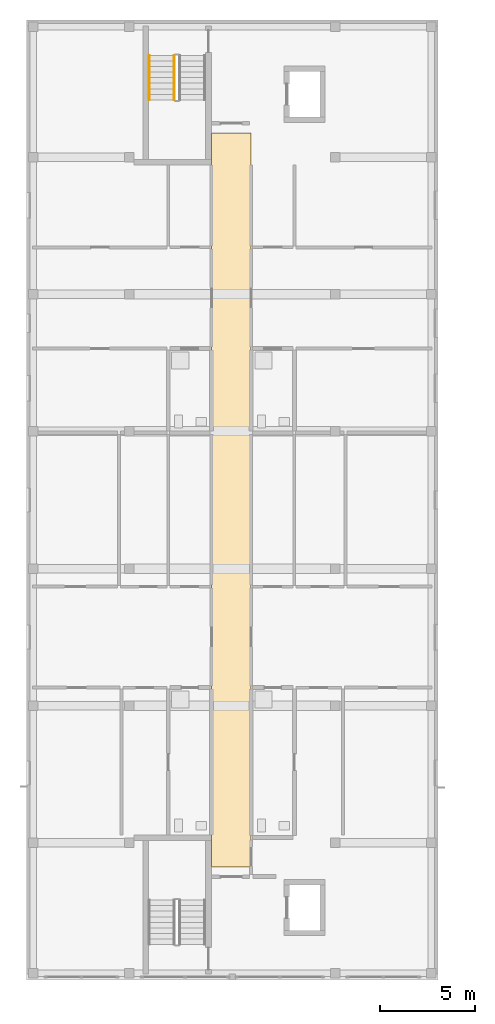
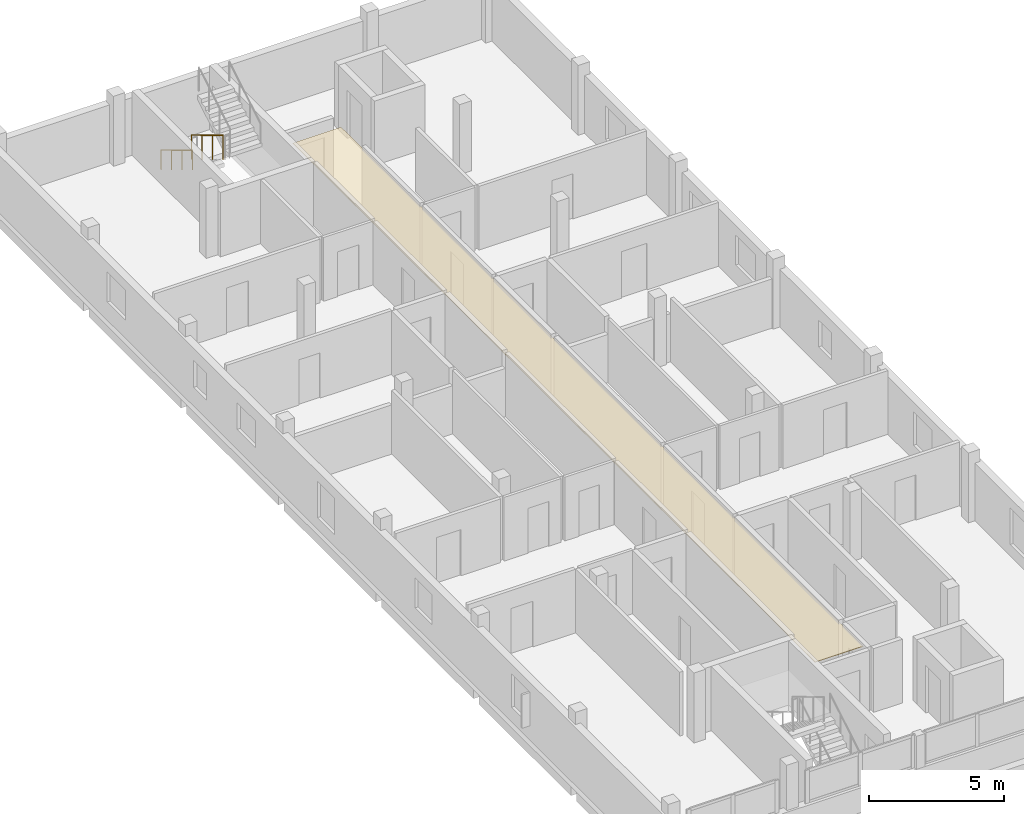
# One storey, part 13 of 16: 2 railings, 1 covering.
"""IFC4 building model written with IfcOpenShell, lengths in metres."""

from ifc_helpers import new_model, si_unit, derived_unit, direction, frame, origin, origin_2d, place, context, subcontext, project, spatial, polyline, circle, outline, extrude, material, layer, layer_set, type_object, element, save


model = new_model("IFC4")

# Units and contexts
model_context = context("Model", 3, precision=1e-05, world=origin(), true_north=direction((0.0, 1.0)))
body_context = subcontext(model_context, "Body", "Model", "MODEL_VIEW")
ifc_project = project(units=[si_unit("LENGTHUNIT", "METRE"), si_unit("AREAUNIT", "SQUARE_METRE"), si_unit("VOLUMEUNIT", "CUBIC_METRE"), si_unit("PLANEANGLEUNIT", "RADIAN"), si_unit("MASSUNIT", "GRAM", prefix="KILO"), derived_unit("THERMALTRANSMITTANCEUNIT", [(si_unit("MASSUNIT", "GRAM", prefix="KILO"), 1), (si_unit("TIMEUNIT", "SECOND"), -3), (si_unit("THERMODYNAMICTEMPERATUREUNIT", "KELVIN"), -1)])], contexts=[model_context])

# Site, building, storey
site_placement = place(None, origin())
site = spatial("IfcSite", under=ifc_project, at=site_placement, CompositionType="ELEMENT")
building_placement = place(site_placement, origin())
building = spatial("IfcBuilding", under=site, at=building_placement, Name="Ochrekiln Boulevard Commons", CompositionType="ELEMENT")
storey_placement = place(building_placement, frame((0.0, 0.0, 43.574951171875)))
storey = spatial("IfcBuildingStorey", under=building, at=storey_placement, Name="L13", CompositionType="ELEMENT", Elevation=43.574951171875)

# Covering
ifc_material_1 = material(Name="Mineral-fibre acoustic ceiling tile")
ifc_layer = layer(ifc_material_1, 0.02490234375)
ifc_layer_set = layer_set([ifc_layer], Name="Mineral-fibre acoustic ceiling tile")
covering_type = type_object("IfcCoveringType", Name="COV-CEIL-AC", PredefinedType="CEILING", material=ifc_layer_set)
covering_placement = place(storey_placement, frame((0.0, 0.0, 2.650146484375)))
element("IfcCovering", 1, at=covering_placement, inside=storey, type_object=covering_type, Name="L13 Acoustic Corridor Ceiling 73", PredefinedType="CEILING", context=body_context, shape_type="SweptSolid", body=[
    extrude(outline(polyline([(9.719970703125, 74.320068359375), (11.780029296875, 74.320068359375), (11.780029296875, 112.8798828125), (9.719970703125, 112.8798828125), (9.719970703125, 74.320068359375)])), origin(), (0.0, 0.0, 1.0), 0.02490234375),
])

# Railings
ifc_material_2 = material(Name="Brushed stainless steel 316 tubular railing", Category="steel")
railing_type_1 = type_object("IfcRailingType", Name="RLG-HDR-900", PredefinedType="HANDRAIL", material=ifc_material_2)
railing_1_placement = place(storey_placement, frame((6.449951171875, 116.929931640625, 0.175048828125)))
element("IfcRailing", 2, at=railing_1_placement, inside=storey, type_object=railing_type_1, Name="L13 ST-A2 stair handrail 1", PredefinedType="HANDRAIL", context=body_context, shape_type="SweptSolid", body=[
    extrude(circle(Radius=0.02392578125, at=origin_2d()), frame((0.0, 0.0, 0.8759765625), z_axis=(0.0, -0.856186286599, 0.516667245565), x_axis=(1.0, 0.0, 0.0)), (0.0, 0.0, 1.0), 2.70947265625),
    extrude(circle(Radius=0.02099609375, at=origin_2d()), origin(), (0.0, 0.0, 1.0), 0.851806640625),
    extrude(circle(Radius=0.02099609375, at=origin_2d()), frame((0.0, -0.773193359375, 0.466552734375)), (0.0, 0.0, 1.0), 0.851806640625),
    extrude(circle(Radius=0.02099609375, at=origin_2d()), frame((0.0, -1.546630859375, 0.933349609375)), (0.0, 0.0, 1.0), 0.851806640625),
    extrude(circle(Radius=0.02099609375, at=origin_2d()), frame((0.0, -2.31982421875, 1.39990234375)), (0.0, 0.0, 1.0), 0.851806640625),
])
railing_type_2 = type_object("IfcRailingType", Name="RLG-STR-1120", PredefinedType="BALUSTRADE", material=ifc_material_2)
railing_2_placement = place(storey_placement, frame((7.75, 116.929931640625, 0.175048828125)))
element("IfcRailing", 3, at=railing_2_placement, inside=storey, type_object=railing_type_2, Name="L13 ST-A2 stair guard 1", PredefinedType="BALUSTRADE", context=body_context, shape_type="SweptSolid", body=[
    extrude(circle(Radius=0.02392578125, at=origin_2d()), frame((0.0, 0.0, 1.09619140625), z_axis=(0.0, -0.856186286599, 0.516667245565), x_axis=(1.0, 0.0, 0.0)), (0.0, 0.0, 1.0), 2.70947265625),
    extrude(circle(Radius=0.02099609375, at=origin_2d()), origin(), (0.0, 0.0, 1.0), 1.072021484375),
    extrude(circle(Radius=0.02099609375, at=origin_2d()), frame((0.0, -0.773193359375, 0.466552734375)), (0.0, 0.0, 1.0), 1.072021484375),
    extrude(circle(Radius=0.02099609375, at=origin_2d()), frame((0.0, -1.546630859375, 0.933349609375)), (0.0, 0.0, 1.0), 1.072021484375),
    extrude(circle(Radius=0.02099609375, at=origin_2d()), frame((0.0, -2.31982421875, 1.39990234375)), (0.0, 0.0, 1.0), 1.072021484375),
])

save(model, "model.ifc")
